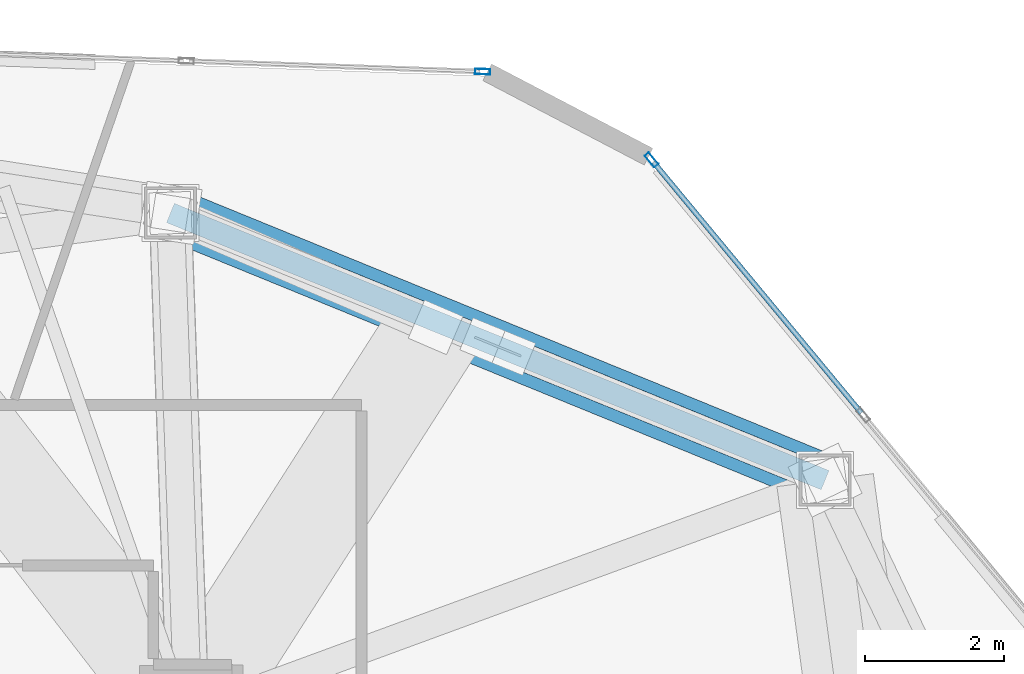
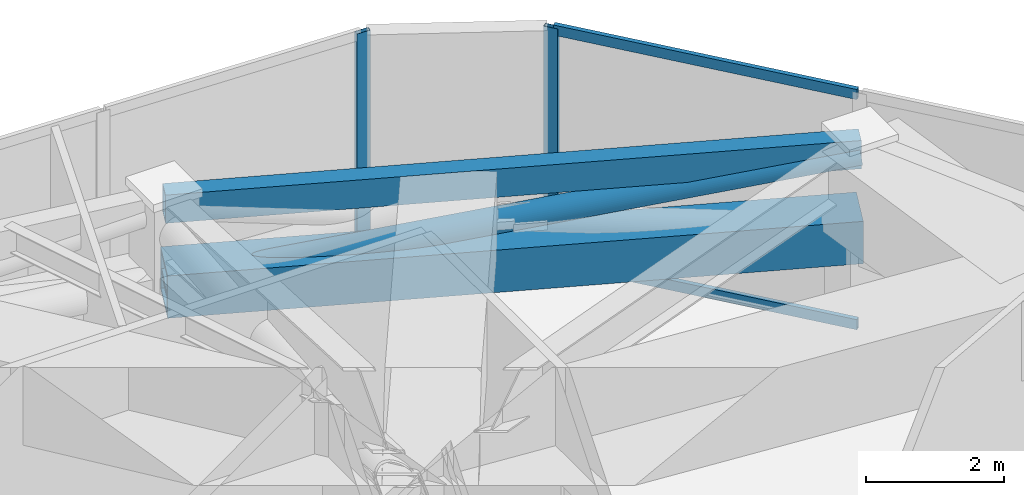
# One storey, part 18 of 25: 6 members, 1 beam, 2 elements without a shape of their own.
"""IFC4 building model written with IfcOpenShell, lengths in metres."""

from ifc_helpers import new_model, si_unit, direction, frame, origin, origin_2d, place, context, subcontext, project, spatial, hollow_rectangle, hollow_circle, extrude, source, transform, mapped, material, layer, layer_set, material_profile, profile_set, type_object, type_shapes, element, aggregate, save


model = new_model("IFC4")

# Units and contexts
model_context = context("Model", 3, precision=1e-05, world=origin(), true_north=direction((0.0, 1.0)))
body_context = subcontext(model_context, "Body", "Model", "MODEL_VIEW")
ifc_project = project(units=[si_unit("LENGTHUNIT", "METRE"), si_unit("AREAUNIT", "SQUARE_METRE"), si_unit("VOLUMEUNIT", "CUBIC_METRE"), si_unit("PLANEANGLEUNIT", "RADIAN"), si_unit("MASSUNIT", "GRAM", prefix="KILO")], contexts=[model_context])

# Site, building, storey
site_placement = place(None, origin())
site = spatial("IfcSite", under=ifc_project, at=site_placement, CompositionType="ELEMENT")
building_placement = place(site_placement, origin())
building = spatial("IfcBuilding", under=site, at=building_placement, Name="Talar Marvaseh", CompositionType="ELEMENT")
storey_placement = place(building_placement, frame((0.0, 0.0, 84.800048828125)))
storey = spatial("IfcBuildingStorey", under=building, at=storey_placement, Name="L21", CompositionType="ELEMENT", Elevation=84.800048828125)

# Beam
ifc_material_1 = material(Name="Steel S355", Category="steel")
ifc_material_profile_1 = material_profile(ifc_material_1, hollow_rectangle(XDim=0.300048828125, YDim=0.5, WallThickness=0.02001953125, at=origin_2d()), Name="RHS500x300x20")
ifc_profile_set_1 = profile_set([ifc_material_profile_1], Name="Steel S355")
beam_type = type_object("IfcBeamType", Name="Zone 1 Perimeter Spandrel Beam RHS500x300x20", PredefinedType="SPANDREL", material=ifc_profile_set_1)
beam_placement = place(storey_placement, frame((33.0458984375, 44.117919921875, 3.89990234375), z_axis=(0.92586732306, -0.377848779395, 0.0), x_axis=(0.377848779395, 0.92586732306, 0.0)))
element("IfcBeam", 1, at=beam_placement, inside=storey, type_object=beam_type, Name="L21 Zone 1 Perimeter Spandrel Beam RHS500x300x20", PredefinedType="SPANDREL", context=body_context, shape_type="SweptSolid", body=[
    extrude(hollow_rectangle(XDim=0.300048828125, YDim=0.5, WallThickness=0.02001953125, at=origin_2d()), origin(), (0.0, 0.0, 1.0), 10.186279296875),
])

# Members
ifc_material_2 = material(Name="Steel S460", Category="steel")
ifc_material_profile_2 = material_profile(ifc_material_2, hollow_rectangle(XDim=0.75, YDim=0.75, WallThickness=0.0400390625, at=origin_2d()), Name="BOX750x750x40")
ifc_profile_set_2 = profile_set([ifc_material_profile_2], Name="Steel S460")
member_type_1 = type_object("IfcMemberType", Name="Belt Truss Chord Member BOX750x750x40", PredefinedType="CHORD", material=ifc_profile_set_2)
shared_shape_1 = source(origin(), body_context, "Body", "SweptSolid", [
    extrude(hollow_rectangle(XDim=0.75, YDim=0.75, WallThickness=0.0400390625, at=origin_2d()), origin(), (0.0, 0.0, 1.0), 10.186279296875),
])
type_shapes(member_type_1, [shared_shape_1])
member_1_placement = place(storey_placement, frame((33.0458984375, 44.117919921875, 2.5), z_axis=(0.92586732306, -0.377848779395, 0.0), x_axis=(0.377848779395, 0.92586732306, 0.0)))
element("IfcMember", 2, at=member_1_placement, inside=storey, type_object=member_type_1, Name="L21 Belt Truss Bottom Chord 12", PredefinedType="CHORD", context=body_context, shape_type="MappedRepresentation", body=[
    mapped(shared_shape_1, transform((0.0, 0.0, 0.0), x_axis=(1.0, 0.0, 0.0), y_axis=(0.0, 1.0, 0.0), z_axis=(0.0, 0.0, 1.0), scale=1.0)),
])
ifc_material_profile_3 = material_profile(ifc_material_2, hollow_circle(Radius=0.203125, WallThickness=0.01611328125, at=origin_2d()), Name="CHS406x16")
ifc_profile_set_3 = profile_set([ifc_material_profile_3], Name="Steel S460")
member_type_2 = type_object("IfcMemberType", Name="Belt Truss Diagonal Brace CHS406x16", PredefinedType="BRACE", material=ifc_profile_set_3)
shared_shape_2 = source(origin(), body_context, "Body", "SweptSolid", [
    extrude(hollow_circle(Radius=0.203125, WallThickness=0.01611328125, at=origin_2d()), origin(), (0.0, 0.0, 1.0), 10.275390625),
])
type_shapes(member_type_2, [shared_shape_2])
member_2_placement = place(storey_placement, frame((33.0458984375, 44.117919921875, 2.5), z_axis=(0.917843419724, -0.374574204296, 0.131368269937), x_axis=(0.377848779395, 0.92586732306, 0.0)))
element("IfcMember", 3, at=member_2_placement, inside=storey, type_object=member_type_2, Name="L21 Belt Truss Continuous Diagonal 12", PredefinedType="BRACE", context=body_context, shape_type="MappedRepresentation", body=[
    mapped(shared_shape_2, transform((0.0, 0.0, 0.0), x_axis=(1.0, 0.0, 0.0), y_axis=(0.0, 1.0, 0.0), z_axis=(0.0, 0.0, 1.0), scale=1.0)),
])

# Curtain wall, members
ifc_material_3 = material(Name="Architectural Aluminium", Category="aluminium")
ifc_layer = layer(ifc_material_3, 0.219970703125)
ifc_layer_set = layer_set([ifc_layer], Name="Architectural Aluminium")
curtain_wall_type = type_object("IfcCurtainWallType", Name="Unitised Low-E Museum Curtain Wall Z1", PredefinedType="NOTDEFINED", material=ifc_layer_set)
curtain_wall_1_placement = place(storey_placement, origin())
curtain_wall_1 = element("IfcCurtainWall", 4, at=curtain_wall_1_placement, inside=storey, type_object=curtain_wall_type, Name="L21 Unitised Low-E Museum Curtain Wall Z1", PredefinedType="NOTDEFINED")
ifc_material_profile_4 = material_profile(ifc_material_3, hollow_rectangle(XDim=0.074951171875, YDim=0.179931640625, WallThickness=0.0048828125, at=origin_2d()), Name="RHS180x75x5")
ifc_profile_set_4 = profile_set([ifc_material_profile_4], Name="Architectural Aluminium")
member_type_3 = type_object("IfcMemberType", Name="Unitised Curtain Wall Transom RHS180x75x5", PredefinedType="USERDEFINED", material=ifc_profile_set_4)
shared_shape_3 = source(origin(), body_context, "Body", "SweptSolid", [
    extrude(hollow_rectangle(XDim=0.074951171875, YDim=0.179931640625, WallThickness=0.0048828125, at=origin_2d()), origin(), (0.0, 0.0, 1.0), 4.696533203125),
])
type_shapes(member_type_3, [shared_shape_3])
member_3_placement = place(storey_placement, frame((40.0029296875, 44.8525390625, 0.037353515625), z_axis=(0.638142026634, -0.769918667031, 0.0), x_axis=(0.769918667031, 0.638142026634, 0.0)))
member_3 = element("IfcMember", 5, at=member_3_placement, type_object=member_type_3, Name="CW-Z1 transom 1.1", ObjectType="TRANSOM", PredefinedType="USERDEFINED", context=body_context, shape_type="MappedRepresentation", body=[
    mapped(shared_shape_3, transform((0.0, 0.0, 0.0), x_axis=(1.0, 0.0, 0.0), y_axis=(0.0, 1.0, 0.0), z_axis=(0.0, 0.0, 1.0), scale=1.0)),
])
member_4_placement = place(storey_placement, frame((40.0029296875, 44.8525390625, 4.112548828125), z_axis=(0.638142026634, -0.769918667031, 0.0), x_axis=(0.769918667031, 0.638142026634, 0.0)))
member_4 = element("IfcMember", 6, at=member_4_placement, type_object=member_type_3, Name="CW-Z1 transom 1.2", ObjectType="TRANSOM", PredefinedType="USERDEFINED", context=body_context, shape_type="MappedRepresentation", body=[
    mapped(shared_shape_3, transform((0.0, 0.0, 0.0), x_axis=(1.0, 0.0, 0.0), y_axis=(0.0, 1.0, 0.0), z_axis=(0.0, 0.0, 1.0), scale=1.0)),
])

# Curtain wall, member
curtain_wall_2_placement = place(storey_placement, origin())
curtain_wall_2 = element("IfcCurtainWall", 7, at=curtain_wall_2_placement, inside=storey, type_object=curtain_wall_type, Name="L21 Unitised Low-E Museum Curtain Wall Z1", PredefinedType="NOTDEFINED")
ifc_material_profile_5 = material_profile(ifc_material_3, hollow_rectangle(XDim=0.080078125, YDim=0.219970703125, WallThickness=0.0048828125, at=origin_2d()), Name="RHS220x80x5")
ifc_profile_set_5 = profile_set([ifc_material_profile_5], Name="Architectural Aluminium")
member_type_4 = type_object("IfcMemberType", Name="Unitised Curtain Wall Heavy Mullion RHS220x80x5", PredefinedType="MULLION", material=ifc_profile_set_5)
shared_shape_4 = source(origin(), body_context, "Body", "SweptSolid", [
    extrude(hollow_rectangle(XDim=0.080078125, YDim=0.219970703125, WallThickness=0.0048828125, at=origin_2d()), origin(), (0.0, 0.0, 1.0), 4.14990234375),
])
type_shapes(member_type_4, [shared_shape_4])
member_5_placement = place(storey_placement, frame((37.543701171875, 46.15380859375, 0.0), z_axis=(0.0, 0.0, 1.0), x_axis=(0.036080528393, 0.999348885761, 0.0)))
member_5 = element("IfcMember", 8, at=member_5_placement, type_object=member_type_4, Name="CW-Z1 mullion 5", PredefinedType="MULLION", context=body_context, shape_type="MappedRepresentation", body=[
    mapped(shared_shape_4, transform((0.0, 0.0, 0.0), x_axis=(1.0, 0.0, 0.0), y_axis=(0.0, 1.0, 0.0), z_axis=(0.0, 0.0, 1.0), scale=1.0)),
])
aggregate(curtain_wall_2, [member_5])

# Member
member_6_placement = place(storey_placement, frame((39.9775390625, 44.88330078125, 0.0), z_axis=(0.0, 0.0, 1.0), x_axis=(0.769914815745, 0.638146673184, 0.0)))
member_6 = element("IfcMember", 9, at=member_6_placement, type_object=member_type_4, Name="CW-Z1 mullion 1", PredefinedType="MULLION", context=body_context, shape_type="MappedRepresentation", body=[
    mapped(shared_shape_4, transform((0.0, 0.0, 0.0), x_axis=(1.0, 0.0, 0.0), y_axis=(0.0, 1.0, 0.0), z_axis=(0.0, 0.0, 1.0), scale=1.0)),
])

aggregate(curtain_wall_1, [member_6, member_3, member_4])

save(model, "model.ifc")
